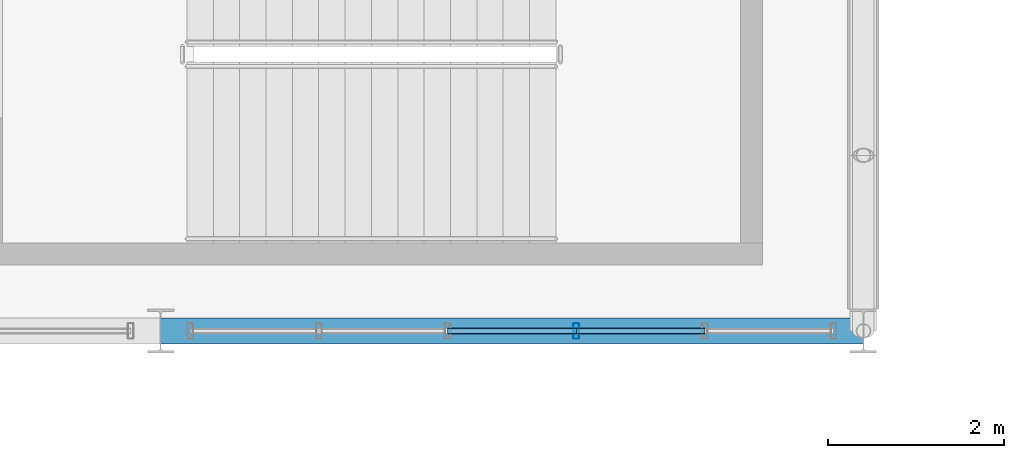
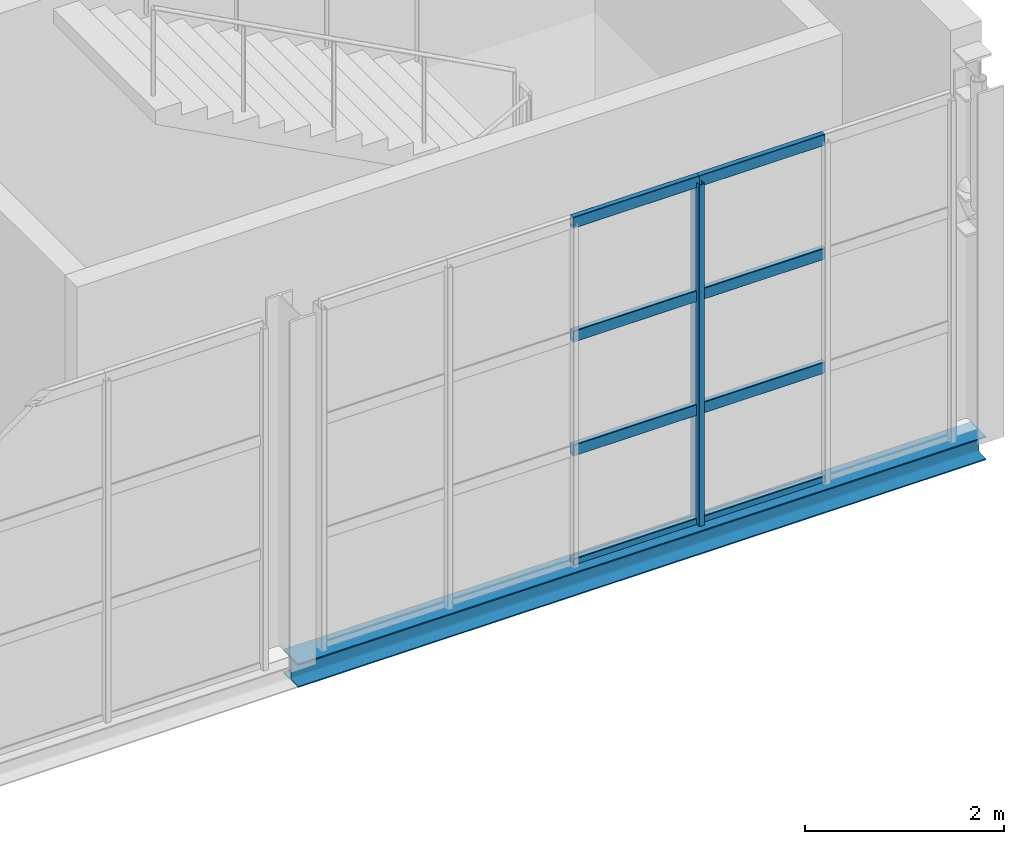
# One storey, part 82 of 143: 9 members, 1 beam, 1 element without a shape of its own.
"""IFC4 building model written with IfcOpenShell, lengths in metres."""

from ifc_helpers import new_model, si_unit, derived_unit, direction, frame, origin, origin_2d, place, context, subcontext, project, spatial, hollow_rectangle, i_section, extrude, material, material_profile, profile_set, type_object, element, aggregate, save


model = new_model("IFC4")

# Units and contexts
model_context = context("Model", 3, precision=1e-05, world=origin(), true_north=direction((0.0, 1.0)))
body_context = subcontext(model_context, "Body", "Model", "MODEL_VIEW")
ifc_project = project(units=[si_unit("LENGTHUNIT", "METRE"), si_unit("AREAUNIT", "SQUARE_METRE"), si_unit("VOLUMEUNIT", "CUBIC_METRE"), si_unit("PLANEANGLEUNIT", "RADIAN"), si_unit("MASSUNIT", "GRAM", prefix="KILO"), derived_unit("THERMALTRANSMITTANCEUNIT", [(si_unit("POWERUNIT", "WATT"), 1), (si_unit("LENGTHUNIT", "METRE"), -2), (si_unit("THERMODYNAMICTEMPERATUREUNIT", "KELVIN"), -1)])], contexts=[model_context])

# Site, building, storey
site_placement = place(None, origin())
site = spatial("IfcSite", under=ifc_project, at=site_placement, CompositionType="ELEMENT")
building_placement = place(site_placement, origin())
building = spatial("IfcBuilding", under=site, at=building_placement, Name="Keldorne Ridge Multi-Sports Centre", CompositionType="ELEMENT")
storey_placement = place(building_placement, frame((0.0, 0.0, 4.800048828125)))
storey = spatial("IfcBuildingStorey", under=building, at=storey_placement, Name="L01", CompositionType="ELEMENT", Elevation=4.800048828125)

# Beam
ifc_material_1 = material(Name="Steel S355", Category="steel")
ifc_material_profile_1 = material_profile(ifc_material_1, i_section(OverallWidth=0.300048828125, OverallDepth=0.2900390625, WebThickness=0.008544921875, FlangeThickness=0.013916015625, FilletRadius=0.027099609375, at=origin_2d()), Name="HEA 300")
ifc_profile_set_1 = profile_set([ifc_material_profile_1], Name="Steel S355")
beam_type = type_object("IfcBeamType", Name="BM-SP-04", PredefinedType="SPANDREL", material=ifc_profile_set_1)
beam_placement = place(storey_placement, frame((160.0, 6.0, -0.150146484375), z_axis=(1.0, 0.0, 0.0), x_axis=(0.0, 1.0, 0.0)))
element("IfcBeam", 1, at=beam_placement, inside=storey, type_object=beam_type, Name="Stacked Courts spandrel L01.6.8", PredefinedType="SPANDREL", context=body_context, shape_type="SweptSolid", body=[
    extrude(i_section(OverallWidth=0.300048828125, OverallDepth=0.2900390625, WebThickness=0.008544921875, FlangeThickness=0.013916015625, FilletRadius=0.027099609375, at=origin_2d()), origin(), (0.0, 0.0, 1.0), 8.0),
])

# Curtain wall, members
ifc_material_2 = material(Name="Anodized aluminium", Category="aluminium")
curtain_wall_type = type_object("IfcCurtainWallType", Name="CW-CW-04", PredefinedType="NOTDEFINED", material=ifc_material_2)
curtain_wall_placement = place(storey_placement, origin())
curtain_wall = element("IfcCurtainWall", 2, at=curtain_wall_placement, inside=storey, type_object=curtain_wall_type, Name="Lower Courts high clerestory 132", PredefinedType="NOTDEFINED")
ifc_material_profile_2 = material_profile(ifc_material_2, hollow_rectangle(XDim=0.06494140625, YDim=0.179931640625, WallThickness=0.00439453125, InnerFilletRadius=0.00439453125, OuterFilletRadius=0.009033203125, at=origin_2d()), Name="ALU MULLION 180x65x4.5")
ifc_profile_set_2 = profile_set([ifc_material_profile_2], Name="Anodized aluminium")
member_type_1 = type_object("IfcMemberType", Name="MEM-ML-01", PredefinedType="MULLION", material=ifc_profile_set_2)
member_1_placement = place(storey_placement, frame((164.73193359375, 6.0, 0.0), z_axis=(0.0, 0.0, 1.0), x_axis=(1.0, 0.0, 0.0)))
member_1 = element("IfcMember", 3, at=member_1_placement, type_object=member_type_1, Name="CW-132 vertical mullion 4", PredefinedType="MULLION", context=body_context, shape_type="SweptSolid", body=[
    extrude(hollow_rectangle(XDim=0.06494140625, YDim=0.179931640625, WallThickness=0.00439453125, InnerFilletRadius=0.00439453125, OuterFilletRadius=0.009033203125, at=origin_2d()), origin(), (0.0, 0.0, 1.0), 4.199951171875),
])
ifc_material_profile_3 = material_profile(ifc_material_2, hollow_rectangle(XDim=0.06494140625, YDim=0.139892578125, WallThickness=0.00439453125, InnerFilletRadius=0.00439453125, OuterFilletRadius=0.009033203125, at=origin_2d()), Name="ALU TRANSOM 140x65x4.5")
ifc_profile_set_3 = profile_set([ifc_material_profile_3], Name="Anodized aluminium")
member_type_2 = type_object("IfcMemberType", Name="MEM-TR-01", PredefinedType="USERDEFINED", material=ifc_profile_set_3)
member_2_placement = place(storey_placement, frame((163.26806640625, 6.0, 0.0), z_axis=(1.0, 0.0, 0.0), x_axis=(0.0, 1.0, 0.0)))
member_2 = element("IfcMember", 4, at=member_2_placement, type_object=member_type_2, Name="CW-132 transom 3.1", ObjectType="TRANSOM", PredefinedType="USERDEFINED", context=body_context, shape_type="SweptSolid", body=[
    extrude(hollow_rectangle(XDim=0.06494140625, YDim=0.139892578125, WallThickness=0.00439453125, InnerFilletRadius=0.00439453125, OuterFilletRadius=0.009033203125, at=origin_2d()), origin(), (0.0, 0.0, 1.0), 1.4638671875),
])
member_3_placement = place(storey_placement, frame((163.26806640625, 6.0, 1.39990234375), z_axis=(1.0, 0.0, 0.0), x_axis=(0.0, 1.0, 0.0)))
member_3 = element("IfcMember", 5, at=member_3_placement, type_object=member_type_2, Name="CW-132 transom 3.2", ObjectType="TRANSOM", PredefinedType="USERDEFINED", context=body_context, shape_type="SweptSolid", body=[
    extrude(hollow_rectangle(XDim=0.06494140625, YDim=0.139892578125, WallThickness=0.00439453125, InnerFilletRadius=0.00439453125, OuterFilletRadius=0.009033203125, at=origin_2d()), origin(), (0.0, 0.0, 1.0), 1.4638671875),
])
member_4_placement = place(storey_placement, frame((163.26806640625, 6.0, 2.800048828125), z_axis=(1.0, 0.0, 0.0), x_axis=(0.0, 1.0, 0.0)))
member_4 = element("IfcMember", 6, at=member_4_placement, type_object=member_type_2, Name="CW-132 transom 3.3", ObjectType="TRANSOM", PredefinedType="USERDEFINED", context=body_context, shape_type="SweptSolid", body=[
    extrude(hollow_rectangle(XDim=0.06494140625, YDim=0.139892578125, WallThickness=0.00439453125, InnerFilletRadius=0.00439453125, OuterFilletRadius=0.009033203125, at=origin_2d()), origin(), (0.0, 0.0, 1.0), 1.4638671875),
])
member_5_placement = place(storey_placement, frame((163.26806640625, 6.0, 4.199951171875), z_axis=(1.0, 0.0, 0.0), x_axis=(0.0, 1.0, 0.0)))
member_5 = element("IfcMember", 7, at=member_5_placement, type_object=member_type_2, Name="CW-132 transom 3.4", ObjectType="TRANSOM", PredefinedType="USERDEFINED", context=body_context, shape_type="SweptSolid", body=[
    extrude(hollow_rectangle(XDim=0.06494140625, YDim=0.139892578125, WallThickness=0.00439453125, InnerFilletRadius=0.00439453125, OuterFilletRadius=0.009033203125, at=origin_2d()), origin(), (0.0, 0.0, 1.0), 1.4638671875),
])
member_6_placement = place(storey_placement, frame((164.73193359375, 6.0, 0.0), z_axis=(1.0, 0.0, 0.0), x_axis=(0.0, 1.0, 0.0)))
member_6 = element("IfcMember", 8, at=member_6_placement, type_object=member_type_2, Name="CW-132 transom 4.1", ObjectType="TRANSOM", PredefinedType="USERDEFINED", context=body_context, shape_type="SweptSolid", body=[
    extrude(hollow_rectangle(XDim=0.06494140625, YDim=0.139892578125, WallThickness=0.00439453125, InnerFilletRadius=0.00439453125, OuterFilletRadius=0.009033203125, at=origin_2d()), origin(), (0.0, 0.0, 1.0), 1.464111328125),
])
member_7_placement = place(storey_placement, frame((164.73193359375, 6.0, 1.39990234375), z_axis=(1.0, 0.0, 0.0), x_axis=(0.0, 1.0, 0.0)))
member_7 = element("IfcMember", 9, at=member_7_placement, type_object=member_type_2, Name="CW-132 transom 4.2", ObjectType="TRANSOM", PredefinedType="USERDEFINED", context=body_context, shape_type="SweptSolid", body=[
    extrude(hollow_rectangle(XDim=0.06494140625, YDim=0.139892578125, WallThickness=0.00439453125, InnerFilletRadius=0.00439453125, OuterFilletRadius=0.009033203125, at=origin_2d()), origin(), (0.0, 0.0, 1.0), 1.464111328125),
])
member_8_placement = place(storey_placement, frame((164.73193359375, 6.0, 2.800048828125), z_axis=(1.0, 0.0, 0.0), x_axis=(0.0, 1.0, 0.0)))
member_8 = element("IfcMember", 10, at=member_8_placement, type_object=member_type_2, Name="CW-132 transom 4.3", ObjectType="TRANSOM", PredefinedType="USERDEFINED", context=body_context, shape_type="SweptSolid", body=[
    extrude(hollow_rectangle(XDim=0.06494140625, YDim=0.139892578125, WallThickness=0.00439453125, InnerFilletRadius=0.00439453125, OuterFilletRadius=0.009033203125, at=origin_2d()), origin(), (0.0, 0.0, 1.0), 1.464111328125),
])
member_9_placement = place(storey_placement, frame((164.73193359375, 6.0, 4.199951171875), z_axis=(1.0, 0.0, 0.0), x_axis=(0.0, 1.0, 0.0)))
member_9 = element("IfcMember", 11, at=member_9_placement, type_object=member_type_2, Name="CW-132 transom 4.4", ObjectType="TRANSOM", PredefinedType="USERDEFINED", context=body_context, shape_type="SweptSolid", body=[
    extrude(hollow_rectangle(XDim=0.06494140625, YDim=0.139892578125, WallThickness=0.00439453125, InnerFilletRadius=0.00439453125, OuterFilletRadius=0.009033203125, at=origin_2d()), origin(), (0.0, 0.0, 1.0), 1.464111328125),
])
aggregate(curtain_wall, [member_1, member_2, member_3, member_4, member_5, member_6, member_7, member_8, member_9])

save(model, "model.ifc")
